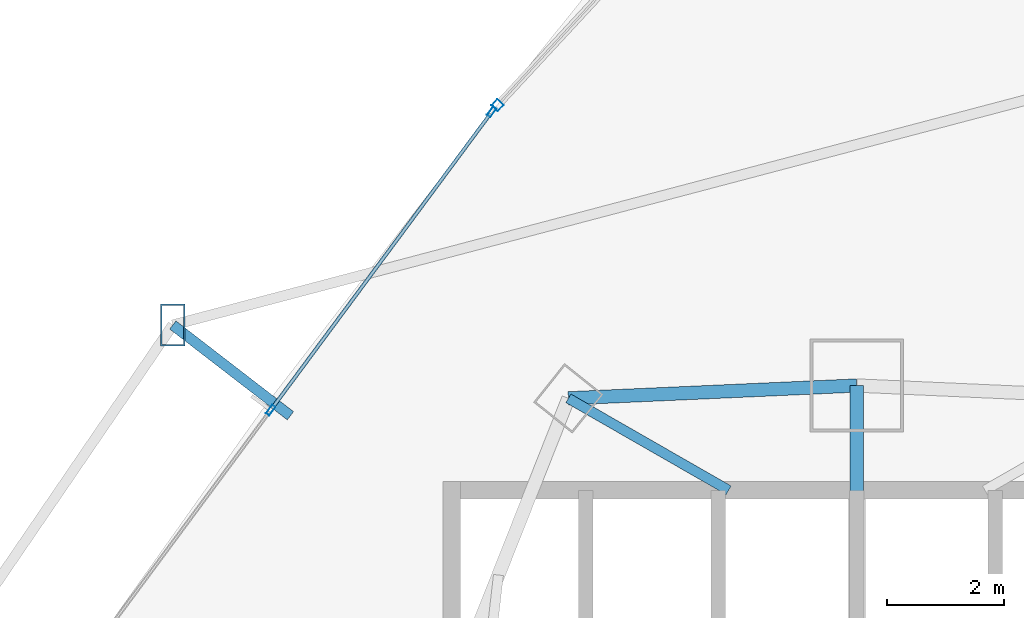
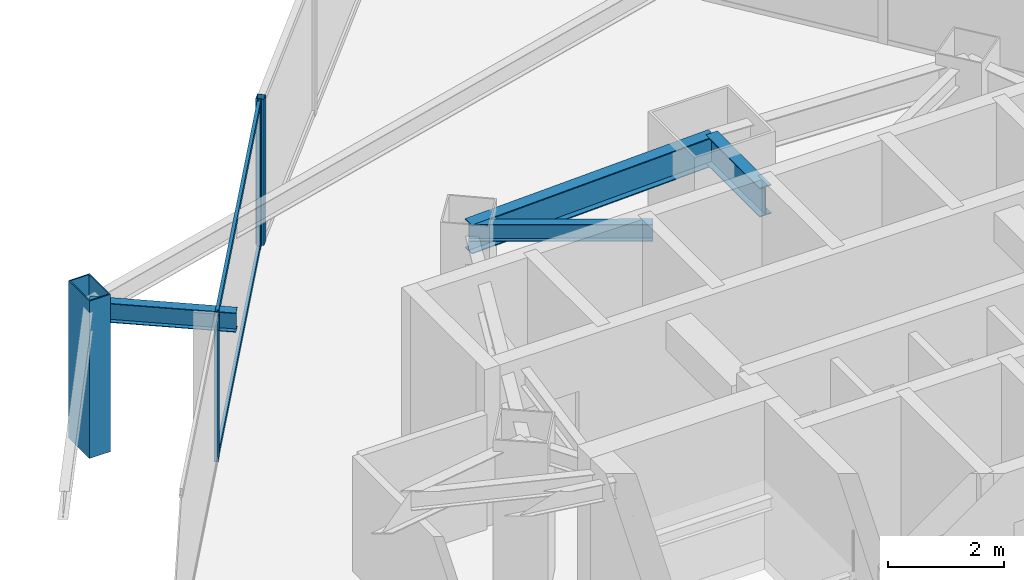
# One storey, part 25 of 38: 6 members, 4 beams, 2 elements without a shape of their own.
"""IFC4 building model written with IfcOpenShell, lengths in metres."""

from ifc_helpers import new_model, si_unit, direction, frame, origin, origin_2d, place, context, subcontext, project, spatial, hollow_rectangle, i_section, extrude, material, layer, layer_set, material_profile, profile_set, type_object, element, aggregate, save


model = new_model("IFC4")

# Units and contexts
model_context = context("Model", 3, precision=1e-05, world=origin(), true_north=direction((0.0, 1.0)))
body_context = subcontext(model_context, "Body", "Model", "MODEL_VIEW")
ifc_project = project(units=[si_unit("LENGTHUNIT", "METRE"), si_unit("AREAUNIT", "SQUARE_METRE"), si_unit("VOLUMEUNIT", "CUBIC_METRE"), si_unit("PLANEANGLEUNIT", "RADIAN"), si_unit("MASSUNIT", "GRAM", prefix="KILO")], contexts=[model_context])

# Site, building, storey
site_placement = place(None, origin())
site = spatial("IfcSite", under=ifc_project, at=site_placement, CompositionType="ELEMENT")
building_placement = place(site_placement, origin())
building = spatial("IfcBuilding", under=site, at=building_placement, Name="Orvanel Arch Residences", CompositionType="ELEMENT")
storey_placement = place(building_placement, frame((0.0, 0.0, 43.39990234375)))
storey = spatial("IfcBuildingStorey", under=building, at=storey_placement, Name="L11", CompositionType="ELEMENT", Elevation=43.39990234375)

# Beams
ifc_material_1 = material(Name="Structural steel AS/NZS 3679.1 Grade 300 (300 MPa)", Category="steel")
ifc_material_profile_1 = material_profile(ifc_material_1, i_section(OverallWidth=0.22900390625, OverallDepth=0.612060546875, WebThickness=0.011962890625, FlangeThickness=0.01953125, at=origin_2d()), Name="610UB125")
ifc_profile_set_1 = profile_set([ifc_material_profile_1], Name="Structural steel AS/NZS 3679.1 Grade 300 (300 MPa)")
beam_type_1 = type_object("IfcBeamType", Name="BG-610UB", PredefinedType="BEAM", material=ifc_profile_set_1)
beam_1_placement = place(storey_placement, frame((33.0, 39.550048828125, 2.754150390625), z_axis=(0.0, 1.0, 0.0), x_axis=(-1.0, 0.0, 0.0)))
element("IfcBeam", 1, at=beam_1_placement, inside=storey, type_object=beam_type_1, Name="L11 North Radial Girder", PredefinedType="BEAM", context=body_context, shape_type="SweptSolid", body=[
    extrude(i_section(OverallWidth=0.22900390625, OverallDepth=0.612060546875, WebThickness=0.011962890625, FlangeThickness=0.01953125, at=origin_2d()), origin(), (0.0, 0.0, 1.0), 1.847900390625),
])
ifc_material_profile_2 = material_profile(ifc_material_1, i_section(OverallWidth=0.1708984375, OverallDepth=0.35595703125, WebThickness=0.00732421875, FlangeThickness=0.011474609375, at=origin_2d()), Name="360UB50.7")
ifc_profile_set_2 = profile_set([ifc_material_profile_2], Name="Structural steel AS/NZS 3679.1 Grade 300 (300 MPa)")
beam_type_2 = type_object("IfcBeamType", Name="BJ-360UB", PredefinedType="JOIST", material=ifc_profile_set_2)
beam_2_placement = place(storey_placement, frame((30.800048828125, 39.60009765625, 2.882080078125), z_axis=(-0.86736513383, 0.497672306458, 0.0), x_axis=(-0.497672306458, -0.86736513383, 0.0)))
element("IfcBeam", 2, at=beam_2_placement, inside=storey, type_object=beam_type_2, Name="L11 MNW Wing Floor Joist", PredefinedType="JOIST", context=body_context, shape_type="SweptSolid", body=[
    extrude(i_section(OverallWidth=0.1708984375, OverallDepth=0.35595703125, WebThickness=0.00732421875, FlangeThickness=0.011474609375, at=origin_2d()), origin(), (0.0, 0.0, 1.0), 3.17041015625),
])

# Member
ifc_material_2 = material(Name="Structural steel AS/NZS 3678 Grade 350", Category="steel")
ifc_material_profile_3 = material_profile(ifc_material_2, hollow_rectangle(XDim=0.419921875, YDim=0.719970703125, WallThickness=0.02490234375, at=origin_2d()), Name="RHS720x420x25")
ifc_profile_set_3 = profile_set([ifc_material_profile_3], Name="Structural steel AS/NZS 3678 Grade 350")
member_type_1 = type_object("IfcMemberType", Name="CH-720RHS-EXT", PredefinedType="CHORD", material=ifc_profile_set_3)
member_1_placement = place(storey_placement, frame((21.259033203125, 42.43701171875, 0.0), z_axis=(0.0, 0.0, 1.0), x_axis=(1.0, 0.0, 0.0)))
element("IfcMember", 3, at=member_1_placement, inside=storey, type_object=member_type_1, Name="L11 Outer Perimeter Frame Post 01", PredefinedType="CHORD", context=body_context, shape_type="SweptSolid", body=[
    extrude(hollow_rectangle(XDim=0.419921875, YDim=0.719970703125, WallThickness=0.02490234375, at=origin_2d()), origin(), (0.0, 0.0, 1.0), 3.300048828125),
])

# Curtain wall, member
ifc_material_3 = material(Name="Bronze-anodised aluminium AA6063-T6", Category="aluminium")
ifc_layer_1 = layer(ifc_material_3, 0.18994140625)
ifc_layer_set_1 = layer_set([ifc_layer_1], Name="Bronze-anodised aluminium AA6063-T6")
curtain_wall_type_1 = type_object("IfcCurtainWallType", Name="CW5-CRN-SYS", PredefinedType="NOTDEFINED", material=ifc_layer_set_1)
curtain_wall_1_placement = place(storey_placement, origin())
curtain_wall_1 = element("IfcCurtainWall", 4, at=curtain_wall_1_placement, inside=storey, type_object=curtain_wall_type_1, Name="L11 CW5-CRN-SYS Unitised Curtain Wall", PredefinedType="NOTDEFINED")
ifc_material_profile_4 = material_profile(ifc_material_3, hollow_rectangle(XDim=0.14990234375, YDim=0.14990234375, WallThickness=0.0048828125, at=origin_2d()), Name="ALU150x150x5")
ifc_profile_set_4 = profile_set([ifc_material_profile_4], Name="Bronze-anodised aluminium AA6063-T6")
member_type_2 = type_object("IfcMemberType", Name="MUL-150x150", PredefinedType="MULLION", material=ifc_profile_set_4)
member_2_placement = place(storey_placement, frame((26.83203125, 46.208984375, 0.0), z_axis=(0.0, 0.0, 1.0), x_axis=(0.733235518375, -0.679974760262, 0.0)))
member_2 = element("IfcMember", 5, at=member_2_placement, type_object=member_type_2, Name="CW-S5 mullion 3", PredefinedType="MULLION", context=body_context, shape_type="SweptSolid", body=[
    extrude(hollow_rectangle(XDim=0.14990234375, YDim=0.14990234375, WallThickness=0.0048828125, at=origin_2d()), origin(), (0.0, 0.0, 1.0), 3.06005859375),
])
aggregate(curtain_wall_1, [member_2])

# Curtain wall, members
ifc_layer_2 = layer(ifc_material_3, 0.179931640625)
ifc_layer_set_2 = layer_set([ifc_layer_2], Name="Bronze-anodised aluminium AA6063-T6")
curtain_wall_type_2 = type_object("IfcCurtainWallType", Name="CW2-LOW-SYS", PredefinedType="NOTDEFINED", material=ifc_layer_set_2)
curtain_wall_2_placement = place(storey_placement, origin())
curtain_wall_2 = element("IfcCurtainWall", 6, at=curtain_wall_2_placement, inside=storey, type_object=curtain_wall_type_2, Name="L11 CW2-LOW-SYS Unitised Curtain Wall", PredefinedType="NOTDEFINED")
ifc_material_profile_5 = material_profile(ifc_material_3, hollow_rectangle(XDim=0.070068359375, YDim=0.179931640625, WallThickness=0.00439453125, at=origin_2d()), Name="ALU180x70x4.5")
ifc_profile_set_5 = profile_set([ifc_material_profile_5], Name="Bronze-anodised aluminium AA6063-T6")
member_type_3 = type_object("IfcMemberType", Name="MUL-180x70", PredefinedType="MULLION", material=ifc_profile_set_5)
member_3_placement = place(storey_placement, frame((26.734130859375, 46.094970703125, 0.0), z_axis=(0.0, 0.0, 1.0), x_axis=(0.803367768067, -0.595483189714, 0.0)))
member_3 = element("IfcMember", 7, at=member_3_placement, type_object=member_type_3, Name="CW-S2 mullion 1", PredefinedType="MULLION", context=body_context, shape_type="SweptSolid", body=[
    extrude(hollow_rectangle(XDim=0.070068359375, YDim=0.179931640625, WallThickness=0.00439453125, at=origin_2d()), origin(), (0.0, 0.0, 1.0), 3.06005859375),
])
member_4_placement = place(storey_placement, frame((22.939453125, 40.9755859375, 0.0), z_axis=(0.0, 0.0, 1.0), x_axis=(0.803367768067, -0.595483189714, 0.0)))
member_4 = element("IfcMember", 8, at=member_4_placement, type_object=member_type_3, Name="CW-S2 mullion 2", PredefinedType="MULLION", context=body_context, shape_type="SweptSolid", body=[
    extrude(hollow_rectangle(XDim=0.070068359375, YDim=0.179931640625, WallThickness=0.00439453125, at=origin_2d()), origin(), (0.0, 0.0, 1.0), 3.06005859375),
])

# Beams
ifc_material_profile_6 = material_profile(ifc_material_1, i_section(OverallWidth=0.177978515625, OverallDepth=0.406005859375, WebThickness=0.0078125, FlangeThickness=0.0126953125, at=origin_2d()), Name="410UB59.7")
ifc_profile_set_6 = profile_set([ifc_material_profile_6], Name="Structural steel AS/NZS 3679.1 Grade 300 (300 MPa)")
beam_type_3 = type_object("IfcBeamType", Name="OB-410UB-EXT", PredefinedType="SPANDREL", material=ifc_profile_set_6)
beam_3_placement = place(storey_placement, frame((23.278076171875, 40.87890625, 2.857177734375), z_axis=(-0.791676422795, 0.610940620348, 0.0), x_axis=(-0.610940620348, -0.791676422795, 0.0)))
element("IfcBeam", 9, at=beam_3_placement, inside=storey, type_object=beam_type_3, Name="L11 Outer Frame Radial Tie Beam 01", PredefinedType="SPANDREL", context=body_context, shape_type="SweptSolid", body=[
    extrude(i_section(OverallWidth=0.177978515625, OverallDepth=0.406005859375, WebThickness=0.0078125, FlangeThickness=0.0126953125, at=origin_2d()), origin(), (0.0, 0.0, 1.0), 2.55029296875),
])
ifc_material_profile_7 = material_profile(ifc_material_1, i_section(OverallWidth=0.22900390625, OverallDepth=0.612060546875, WebThickness=0.011962890625, FlangeThickness=0.01953125, at=origin_2d()), Name="610UB125")
ifc_profile_set_7 = profile_set([ifc_material_profile_7], Name="Structural steel AS/NZS 3679.1 Grade 300 (300 MPa)")
beam_type_4 = type_object("IfcBeamType", Name="SP-610UB", PredefinedType="SPANDREL", material=ifc_profile_set_7)
beam_4_placement = place(storey_placement, frame((33.0, 41.39794921875, 2.754150390625), z_axis=(-0.999014049296, -0.044395149614, 0.0), x_axis=(0.044395149614, -0.999014049296, 0.0)))
element("IfcBeam", 10, at=beam_4_placement, inside=storey, type_object=beam_type_4, Name="L11 Perimeter Spandrel Beam 17", PredefinedType="SPANDREL", context=body_context, shape_type="SweptSolid", body=[
    extrude(i_section(OverallWidth=0.22900390625, OverallDepth=0.612060546875, WebThickness=0.011962890625, FlangeThickness=0.01953125, at=origin_2d()), origin(), (0.0, 0.0, 1.0), 4.954833984375),
])

# Member
ifc_material_profile_8 = material_profile(ifc_material_3, hollow_rectangle(XDim=0.06005859375, YDim=0.135009765625, WallThickness=0.00390625, at=origin_2d()), Name="ALU135x60x4")
ifc_profile_set_8 = profile_set([ifc_material_profile_8], Name="Bronze-anodised aluminium AA6063-T6")
member_type_4 = type_object("IfcMemberType", Name="TRN-135x60", PredefinedType="USERDEFINED", material=ifc_profile_set_8)
member_5_placement = place(storey_placement, frame((26.71337890625, 46.066650390625, 0.030029296875), z_axis=(-0.595490625908, -0.803362256056, 0.0), x_axis=(0.803362256056, -0.595490625908, 0.0)))
member_5 = element("IfcMember", 11, at=member_5_placement, type_object=member_type_4, Name="CW-S2 transom 1.1", ObjectType="TRANSOM", PredefinedType="USERDEFINED", context=body_context, shape_type="SweptSolid", body=[
    extrude(hollow_rectangle(XDim=0.06005859375, YDim=0.135009765625, WallThickness=0.00390625, at=origin_2d()), origin(), (0.0, 0.0, 1.0), 6.30224609375),
])

member_6_placement = place(storey_placement, frame((26.71337890625, 46.066650390625, 3.030029296875), z_axis=(-0.595490625908, -0.803362256056, 0.0), x_axis=(0.803362256056, -0.595490625908, 0.0)))
member_6 = element("IfcMember", 12, at=member_6_placement, type_object=member_type_4, Name="CW-S2 transom 1.2", ObjectType="TRANSOM", PredefinedType="USERDEFINED", context=body_context, shape_type="SweptSolid", body=[
    extrude(hollow_rectangle(XDim=0.06005859375, YDim=0.135009765625, WallThickness=0.00390625, at=origin_2d()), origin(), (0.0, 0.0, 1.0), 6.30224609375),
])

aggregate(curtain_wall_2, [member_3, member_4, member_5, member_6])

save(model, "model.ifc")
